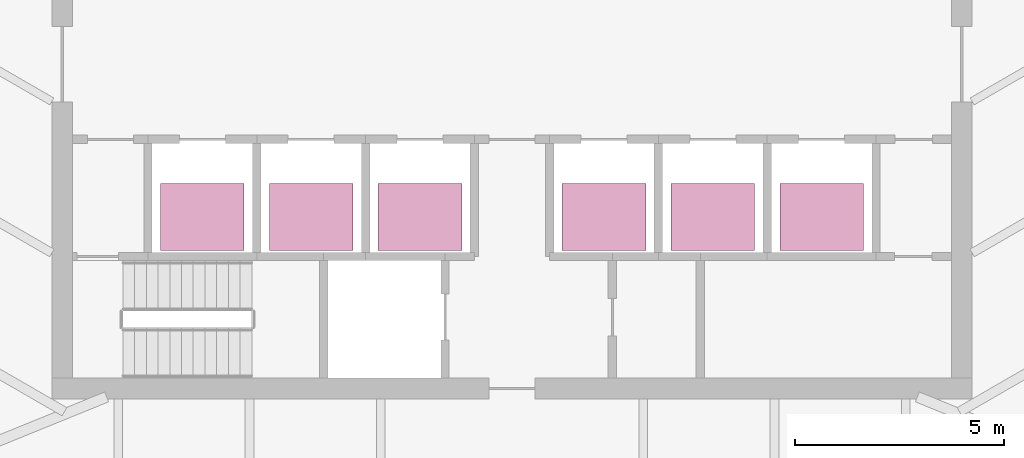
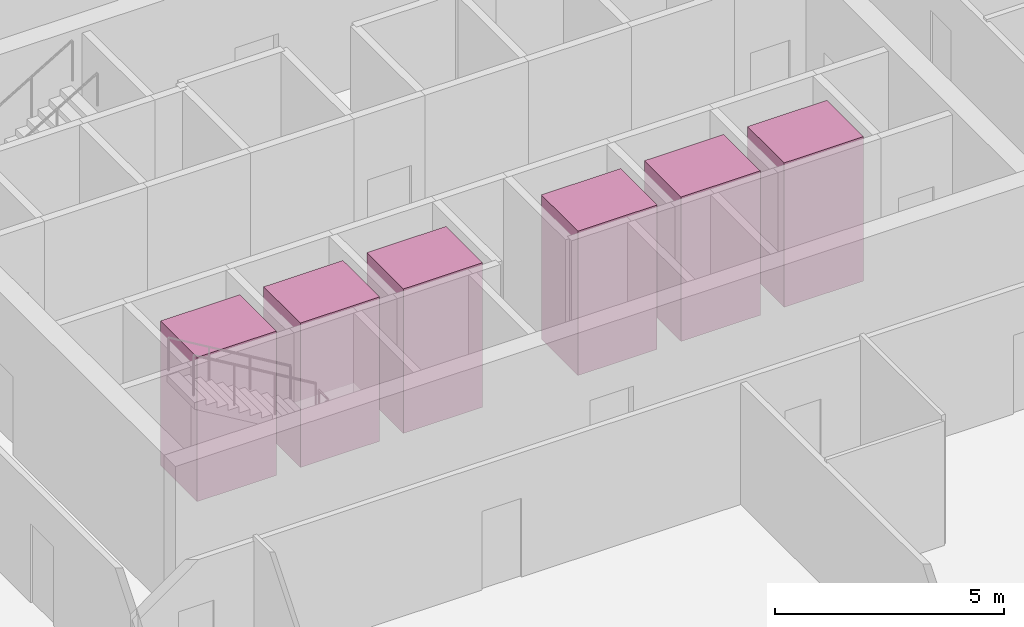
# One storey, part 16 of 16: 6 transport elements.
"""IFC4 building model written with IfcOpenShell, lengths in metres."""

from ifc_helpers import new_model, si_unit, direction, frame, origin, origin_2d, place, context, subcontext, project, spatial, rectangle, extrude, material, type_object, element, save


model = new_model("IFC4")

# Units and contexts
model_context = context("Model", 3, precision=1e-05, world=origin(), true_north=direction((0.0, 1.0)))
body_context = subcontext(model_context, "Body", "Model", "MODEL_VIEW")
ifc_project = project(units=[si_unit("LENGTHUNIT", "METRE"), si_unit("AREAUNIT", "SQUARE_METRE"), si_unit("VOLUMEUNIT", "CUBIC_METRE"), si_unit("PLANEANGLEUNIT", "RADIAN"), si_unit("MASSUNIT", "GRAM", prefix="KILO")], contexts=[model_context])

# Site, building, storey
site_placement = place(None, origin())
site = spatial("IfcSite", under=ifc_project, at=site_placement, CompositionType="ELEMENT")
building_placement = place(site_placement, origin())
building = spatial("IfcBuilding", under=site, at=building_placement, Name="Sierra Prisma Convention Tower", CompositionType="ELEMENT")
storey_placement = place(building_placement, frame((0.0, 0.0, 181.800048828125)))
storey = spatial("IfcBuildingStorey", under=building, at=storey_placement, Name="L40", CompositionType="ELEMENT", Elevation=181.800048828125)

# Transport elements
ifc_material = material(Name="Stainless steel", Category="steel")
transport_element_type = type_object("IfcTransportElementType", Name="Lift car office low 2000x1600 1600 kg", PredefinedType="ELEVATOR", material=ifc_material)
for number, where, z_axis, x_axis, name in (
    (1, (-7.39990234375, -3.64990234375, 0.0), (0.0, 0.0, 1.0), (1.0, 0.0, 0.0), "Lift OL1"),
    (2, (-4.800048828125, -3.64990234375, 0.0), (0.0, 0.0, 1.0), (1.0, 0.0, 0.0), "Lift OL2"),
    (3, (-2.199951171875, -3.64990234375, 0.0), (0.0, 0.0, 1.0), (1.0, 0.0, 0.0), "Lift OL3"),
    (4, (2.199951171875, -3.64990234375, 0.0), (0.0, 0.0, 1.0), (1.0, 0.0, 0.0), "Lift OL4"),
    (5, (4.800048828125, -3.64990234375, 0.0), (0.0, 0.0, 1.0), (1.0, 0.0, 0.0), "Lift OL5"),
    (6, (7.39990234375, -3.64990234375, 0.0), (0.0, 0.0, 1.0), (1.0, 0.0, 0.0), "Lift OL6"),
):
    element("IfcTransportElement", number, at=place(storey_placement, frame(where, z_axis=z_axis, x_axis=x_axis)), inside=storey, type_object=transport_element_type, Name=name, PredefinedType="ELEVATOR", context=body_context, shape_type="SweptSolid", body=[
        extrude(rectangle(XDim=2.0, YDim=1.60009765625, at=origin_2d()), origin(), (0.0, 0.0, 1.0), 3.85009765625),
    ])

save(model, "model.ifc")
